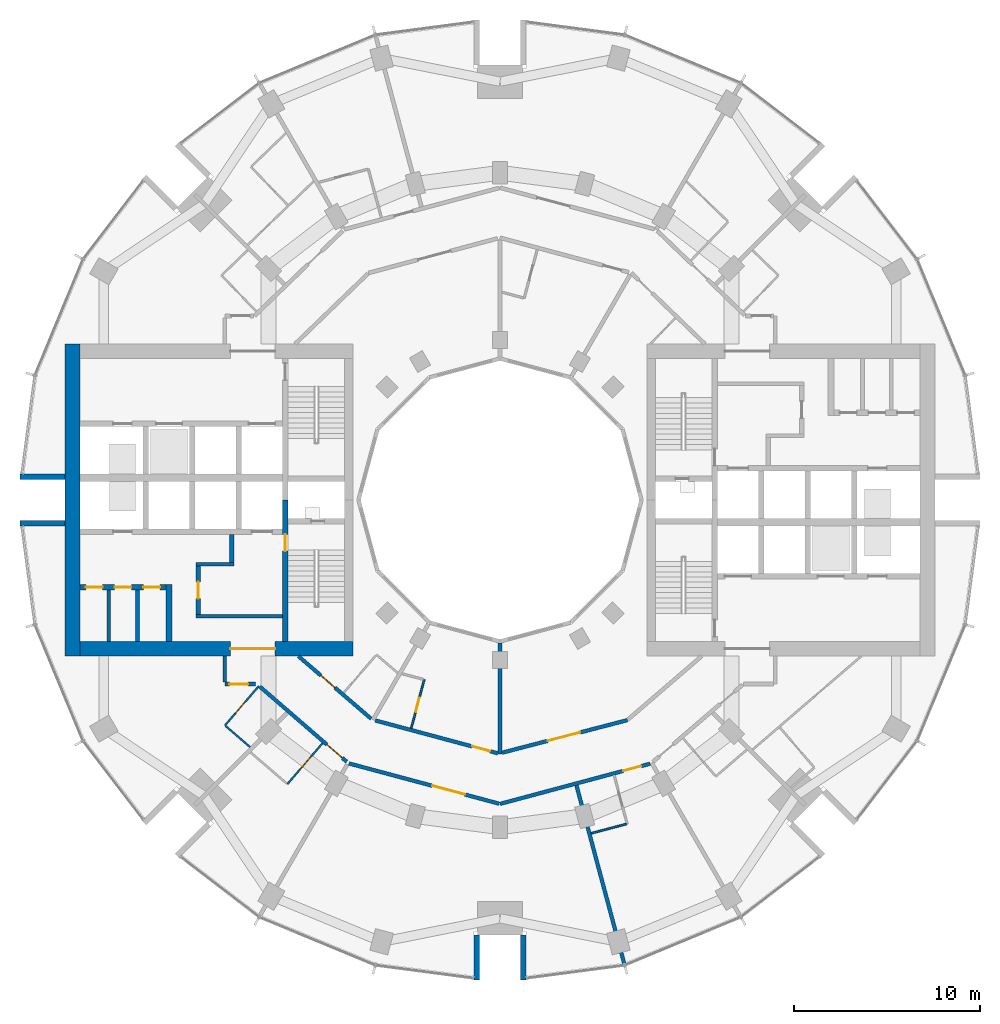
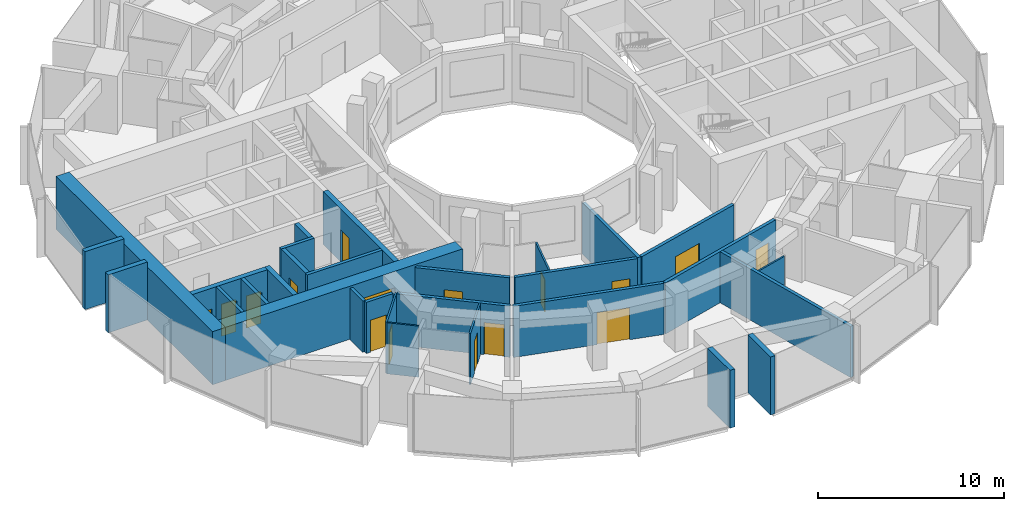
# One storey, part 8 of 15: 30 walls, 16 doors, 16 openings.
"""IFC4 building model written with IfcOpenShell, lengths in metres."""

import ifcopenshell
import ifcopenshell.guid

model = None  # the IFC model being written
_history = None  # IfcOwnerHistory: only IFC2X3 demands one
_inside = {}  # id of a spatial element -> (the spatial element, [elements in it])
_under = {}  # id of a project, library or spatial element -> (it, [spatial elements below it])
_declared = {}  # id of a project -> (the project, [libraries it declares])
_typed = {}  # id of a type object -> (the type object, [elements of that type])
_made_of = {}  # id of a material, layer set ... -> (it, [elements and type objects made of it])


def new_model(schema):
    """Start an empty IFC model of exactly this schema.

    Asked for "IFC4X3", IfcOpenShell would pick the latest addendum, in which some entities
    have other attributes; the version numbers below select the first issue.
    IFC2X3 requires an IfcOwnerHistory on every rooted entity: one is made here for all.
    """
    global model, _history
    if schema == "IFC4X3":
        model = ifcopenshell.file(schema_version=(4, 3, 0, 0))
    else:
        model = ifcopenshell.file(schema=schema)
    _inside.clear()
    _under.clear()
    _declared.clear()
    _typed.clear()
    _made_of.clear()
    _history = None
    if model.schema == "IFC2X3":
        org = make("IfcOrganization", Name="unknown")
        user = make(
            "IfcPersonAndOrganization",
            ThePerson=make("IfcPerson", FamilyName="unknown"),
            TheOrganization=org,
        )
        app = make(
            "IfcApplication",
            ApplicationDeveloper=org,
            Version="unknown",
            ApplicationFullName="unknown",
            ApplicationIdentifier="unknown",
        )
        _history = make(
            "IfcOwnerHistory",
            OwningUser=user,
            OwningApplication=app,
            ChangeAction="ADDED",
            CreationDate=0,
        )
    return model


def make(cls, **values):
    """One entity of the class cls with the attributes given. An attribute that is None is left unset."""
    return model.create_entity(
        cls, **{name: value for name, value in values.items() if value is not None}
    )


def rooted(cls, **values):
    """An entity with a GlobalId (a new one), such as an element, a storey or a relation."""
    return make(cls, GlobalId=ifcopenshell.guid.new(), OwnerHistory=_history, **values)


def si_unit(unit_type, name, prefix=None):
    """IfcSIUnit, for example si_unit("LENGTHUNIT", "METRE", prefix="MILLI")."""
    return make("IfcSIUnit", UnitType=unit_type, Prefix=prefix, Name=name)


def assignment(units):
    """IfcUnitAssignment: the units of a project."""
    return None if units is None else make("IfcUnitAssignment", Units=units)


def point(xyz):
    """IfcCartesianPoint."""
    return None if xyz is None else make("IfcCartesianPoint", Coordinates=xyz)


def direction(xyz):
    """IfcDirection."""
    return None if xyz is None else make("IfcDirection", DirectionRatios=xyz)


def frame(location, z_axis=None, x_axis=None):
    """IfcAxis2Placement3D, a coordinate frame: its origin and axes. An axis left out is left unset."""
    return make(
        "IfcAxis2Placement3D",
        Location=point(location),
        Axis=direction(z_axis),
        RefDirection=direction(x_axis),
    )


def frame_2d(location, x_axis=None):
    """IfcAxis2Placement2D, a coordinate frame in the plane: its origin and x axis."""
    return make(
        "IfcAxis2Placement2D", Location=point(location), RefDirection=direction(x_axis)
    )


def origin():
    """The frame at (0, 0, 0) with its axes left unset."""
    return frame((0.0, 0.0, 0.0))


def place(relative_to, where):
    """IfcLocalPlacement: puts the frame where relative to a parent placement (None: the world)."""
    return make(
        "IfcLocalPlacement", PlacementRelTo=relative_to, RelativePlacement=where
    )


def context(
    kind, dimensions, precision=None, world=None, true_north=None, identifier=None
):
    """IfcGeometricRepresentationContext, for example the 3D "Model" context."""
    return make(
        "IfcGeometricRepresentationContext",
        ContextIdentifier=identifier,
        ContextType=kind,
        CoordinateSpaceDimension=dimensions,
        Precision=precision,
        WorldCoordinateSystem=world,
        TrueNorth=true_north,
    )


def subcontext(parent, identifier, kind, view, scale=None):
    """IfcGeometricRepresentationSubContext, for example "Body" below "Model"."""
    return make(
        "IfcGeometricRepresentationSubContext",
        ContextIdentifier=identifier,
        ContextType=kind,
        ParentContext=parent,
        TargetScale=scale,
        TargetView=view,
    )


def project(units=None, contexts=None):
    """IfcProject with its units and contexts."""
    return rooted(
        "IfcProject",
        Name="project",
        RepresentationContexts=contexts,
        UnitsInContext=assignment(units),
    )


def spatial(cls, under=None, at=None, **own):
    """A site, building, storey or space (cls), placed at a placement, below another one or the project."""
    s = rooted(cls, ObjectPlacement=at, **own)
    if under is not None:
        _under.setdefault(under.id(), (under, []))[1].append(s)
    return s


def profile(cls, at=None, kind="AREA", **sizes):
    """A parametric profile (cls). Its sizes go by their IFC names, for example OverallWidth=200.0."""
    return make(cls, ProfileType=kind, Position=at, **sizes)


def rectangle(**sizes):
    """IfcRectangleProfileDef."""
    return profile("IfcRectangleProfileDef", **sizes)


def extrude(swept, where, along, depth):
    """IfcExtrudedAreaSolid: the profile swept, set in the frame where, extruded along a direction by depth."""
    return make(
        "IfcExtrudedAreaSolid",
        SweptArea=swept,
        Position=where,
        ExtrudedDirection=direction(along),
        Depth=depth,
    )


def shape(context_of_items, identifier, shape_type, items):
    """IfcShapeRepresentation: the items that make up one representation, for example the "Body"."""
    return make(
        "IfcShapeRepresentation",
        ContextOfItems=context_of_items,
        RepresentationIdentifier=identifier,
        RepresentationType=shape_type,
        Items=items,
    )


def material(Name=None, Category=None):
    """IfcMaterial."""
    return make("IfcMaterial", Name=Name, Category=Category)


def layer(
    of_material, thickness, ventilated=None, Name=None, Category=None, Priority=None
):
    """IfcMaterialLayer: one layer of a wall or slab, of a material (None: an air gap)."""
    return make(
        "IfcMaterialLayer",
        Material=of_material,
        LayerThickness=thickness,
        IsVentilated=ventilated,
        Name=Name,
        Category=Category,
        Priority=Priority,
    )


def layer_set(layers, Name=None):
    """IfcMaterialLayerSet."""
    return make("IfcMaterialLayerSet", MaterialLayers=layers, LayerSetName=Name)


def made_of(thing, what):
    """Note that an element or type object is made of a material, layer set ...; save() writes the relation."""
    if what is not None:
        _made_of.setdefault(what.id(), (what, []))[1].append(thing)
    return thing


def type_object(cls, material=None, **own):
    """A type object (cls), such as IfcWallType, which elements share."""
    return made_of(rooted(cls, **own), material)


def element(
    cls,
    number,
    at=None,
    inside=None,
    cuts=None,
    type_object=None,
    material=None,
    context=None,
    identifier="Body",
    shape_type=None,
    held_by="IfcProductDefinitionShape",
    body=None,
    shapes=None,
    **own,
):
    """One element of the class cls, such as IfcWall. Its Tag is "e" and its number.

    at: its placement. inside: the storey or other place that contains it. cuts: it is an
    opening in that element (IfcRelVoidsElement). A single representation is given by context,
    identifier, shape_type and body (its items); several are given by shapes. held_by: the class
    of the entity that holds the representations. save() writes the other relations.
    """
    e = rooted(cls, Tag="e%d" % number, ObjectPlacement=at, **own)
    if body is not None:
        shapes = [shape(context, identifier, shape_type, body)]
    if shapes is not None:
        e.Representation = make(held_by, Representations=shapes)
    if inside is not None:
        _inside.setdefault(inside.id(), (inside, []))[1].append(e)
    if cuts is not None:
        rooted(
            "IfcRelVoidsElement", RelatingBuildingElement=cuts, RelatedOpeningElement=e
        )
    if type_object is not None:
        _typed.setdefault(type_object.id(), (type_object, []))[1].append(e)
    return made_of(e, material)


def fill(opening, filler):
    """IfcRelFillsElement: the door or window that sits in an opening."""
    return rooted(
        "IfcRelFillsElement",
        RelatingOpeningElement=opening,
        RelatedBuildingElement=filler,
    )


def aggregate(whole, parts):
    """IfcRelAggregates: a whole, such as a stair, and the parts it consists of."""
    return rooted("IfcRelAggregates", RelatingObject=whole, RelatedObjects=parts)


def save(model, path):
    """Write the relations noted so far, then the file.

    IfcRelAggregates (storeys below a building ...), IfcRelContainedInSpatialStructure (elements
    in a storey), IfcRelDefinesByType, IfcRelAssociatesMaterial and IfcRelDeclares: one each for
    every whole, place, type object, material and project.
    """
    for whole, parts in _under.values():
        aggregate(whole, parts)
    for where, things in _inside.values():
        rooted(
            "IfcRelContainedInSpatialStructure",
            RelatedElements=things,
            RelatingStructure=where,
        )
    for kind, things in _typed.values():
        rooted("IfcRelDefinesByType", RelatedObjects=things, RelatingType=kind)
    for what, things in _made_of.values():
        rooted("IfcRelAssociatesMaterial", RelatedObjects=things, RelatingMaterial=what)
    for by, libraries in _declared.values():
        rooted("IfcRelDeclares", RelatingContext=by, RelatedDefinitions=libraries)
    model.write(path)


model = new_model("IFC4")

# Units and contexts
model_context = context("Model", 3, precision=1e-05, world=origin(), true_north=direction((0.0, 1.0)))
body_context = subcontext(model_context, "Body", "Model", "MODEL_VIEW")
ifc_project = project(units=[si_unit("LENGTHUNIT", "METRE"), si_unit("AREAUNIT", "SQUARE_METRE"), si_unit("VOLUMEUNIT", "CUBIC_METRE"), si_unit("PLANEANGLEUNIT", "RADIAN"), si_unit("MASSUNIT", "GRAM", prefix="KILO")], contexts=[model_context])

# Site, building, storey
site_placement = place(None, origin())
site = spatial("IfcSite", under=ifc_project, at=site_placement, CompositionType="ELEMENT")
building_placement = place(site_placement, origin())
building = spatial("IfcBuilding", under=site, at=building_placement, Name="Torre Brocal", CompositionType="ELEMENT")
storey_placement = place(building_placement, frame((0.0, 0.0, 101.39990234375)))
storey = spatial("IfcBuildingStorey", under=building, at=storey_placement, Name="L23", CompositionType="ELEMENT", Elevation=101.39990234375)

# Walls
ifc_material_1 = material(Name="Masonry block", Category="masonry")
ifc_layer_1 = layer(ifc_material_1, 0.199951171875)
ifc_layer_set_1 = layer_set([ifc_layer_1], Name="Masonry block")
wall_type_1 = type_object("IfcWallType", Name="CORE PARTITION 200", PredefinedType="PARTITIONING", material=ifc_layer_set_1)
for number, where, z_axis, x_axis, name in (
    (1, (60.5, 70.14990234375, 0.0), (0.0, 0.0, 1.0), (0.0, -1.0, 0.0), "Wall CP200"),
    (2, (58.949951171875, 70.14990234375, 0.0), (0.0, 0.0, 1.0), (0.0, -1.0, 0.0), "Wall CP200"),
):
    element("IfcWall", number, at=place(storey_placement, frame(where, z_axis=z_axis, x_axis=x_axis)), inside=storey, type_object=wall_type_1, Name=name, PredefinedType="PARTITIONING", context=body_context, shape_type="SweptSolid", body=[
        extrude(rectangle(XDim=2.75, YDim=0.199951171875, at=frame_2d((1.375, 0.0))), origin(), (0.0, 0.0, 1.0), 3.47998046875),
    ])
ifc_material_2 = material(Name="Concrete C80", Category="concrete")
ifc_layer_2 = layer(ifc_material_2, 0.199951171875)
ifc_layer_set_2 = layer_set([ifc_layer_2], Name="Concrete C80")
wall_type_2 = type_object("IfcWallType", Name="CORE WALL 200 C80", PredefinedType="SHEAR", material=ifc_layer_set_2)
wall_1_placement = place(storey_placement, frame((68.300048828125, 68.75, 0.0), z_axis=(0.0, 0.0, 1.0), x_axis=(-1.0, 0.0, 0.0)))
element("IfcWall", 3, at=wall_1_placement, inside=storey, type_object=wall_type_2, Name="Wall CW200-80", PredefinedType="SHEAR", context=body_context, shape_type="SweptSolid", body=[
    extrude(rectangle(XDim=4.650146484375, YDim=0.199951171875, at=frame_2d((2.3251953125, 0.0))), origin(), (0.0, 0.0, 1.0), 3.47998046875),
])
wall_2_placement = place(storey_placement, frame((65.699951171875, 71.550048828125, 0.0), z_axis=(0.0, 0.0, 1.0), x_axis=(-1.0, 0.0, 0.0)))
element("IfcWall", 4, at=wall_2_placement, inside=storey, type_object=wall_type_2, Name="Wall CW200-80", PredefinedType="SHEAR", context=body_context, shape_type="SweptSolid", body=[
    extrude(rectangle(XDim=2.050048828125, YDim=0.199951171875, at=frame_2d((1.02490234375, 0.0))), origin(), (0.0, 0.0, 1.0), 3.47998046875),
])

# Wall, opening, door
ifc_material_3 = material(Name="Concrete C80", Category="concrete")
ifc_layer_3 = layer(ifc_material_3, 0.25)
ifc_layer_set_3 = layer_set([ifc_layer_3], Name="Concrete C80")
wall_type_3 = type_object("IfcWallType", Name="CORE WALL 250 C80", PredefinedType="SHEAR", material=ifc_layer_set_3)
wall_3_placement = place(storey_placement, frame((63.77490234375, 71.449951171875, 0.0), z_axis=(0.0, 0.0, 1.0), x_axis=(0.0, -1.0, 0.0)))
wall_3 = element("IfcWall", 5, at=wall_3_placement, inside=storey, type_object=wall_type_3, Name="Wall CW250-80", PredefinedType="SHEAR", context=body_context, shape_type="SweptSolid", body=[
    extrude(rectangle(XDim=2.599853515625, YDim=0.25, at=frame_2d((1.2998046875, 0.0))), origin(), (0.0, 0.0, 1.0), 3.47998046875),
])
opening_1_placement = place(wall_3_placement, frame((0.85009765625, 0.0, 0.0)))
opening_1 = element("IfcOpeningElement", 6, at=opening_1_placement, cuts=wall_3, Name="Opening W-D15", PredefinedType="OPENING", context=body_context, shape_type="SweptSolid", body=[
    extrude(rectangle(XDim=0.89990234375, YDim=2.10009765625, at=frame_2d((0.449951171875, 1.050048828125))), frame((0.0, 0.135009765625, 0.0), z_axis=(0.0, -1.0, 0.0), x_axis=(1.0, 0.0, 0.0)), (0.0, 0.0, 1.0), 0.27001953125),
])
ifc_material_4 = material(Name="Steel A653", Category="steel")
door_type_1 = type_object("IfcDoorType", Name="LOBBY DOOR FD120 900X2100", OperationType="SINGLE_SWING_RIGHT", PredefinedType="DOOR", material=ifc_material_4)
door_1_placement = place(opening_1_placement, origin())
door_1 = element("IfcDoor", 7, at=door_1_placement, inside=storey, type_object=door_type_1, Name="Door W-D15", OperationType="SINGLE_SWING_LEFT", OverallHeight=2.10009765625, OverallWidth=0.89990234375, PredefinedType="DOOR", context=body_context, shape_type="SweptSolid", body=[
    extrude(rectangle(XDim=0.89990234375, YDim=2.10009765625, at=frame_2d((0.449951171875, 1.050048828125))), frame((0.0, 0.02490234375, 0.0), z_axis=(0.0, -1.0, 0.0), x_axis=(1.0, 0.0, 0.0)), (0.0, 0.0, 1.0), 0.050048828125),
])
fill(opening_1, door_1)

# Wall
wall_4_placement = place(storey_placement, frame((65.574951171875, 73.14990234375, 0.0), z_axis=(0.0, 0.0, 1.0), x_axis=(0.0, -1.0, 0.0)))
element("IfcWall", 8, at=wall_4_placement, inside=storey, type_object=wall_type_3, Name="Wall CW250-80", PredefinedType="SHEAR", context=body_context, shape_type="SweptSolid", body=[
    extrude(rectangle(XDim=1.5, YDim=0.25, at=frame_2d((0.75, 0.0))), origin(), (0.0, 0.0, 1.0), 3.47998046875),
])

# Wall, opening, door
ifc_material_5 = material(Name="Concrete C80", Category="concrete")
ifc_layer_4 = layer(ifc_material_5, 0.300048828125)
ifc_layer_set_4 = layer_set([ifc_layer_4], Name="Concrete C80")
wall_type_4 = type_object("IfcWallType", Name="CORE WALL 300 C80", PredefinedType="SHEAR", material=ifc_layer_set_4)
wall_5_placement = place(storey_placement, frame((68.449951171875, 75.0, 0.0), z_axis=(0.0, 0.0, 1.0), x_axis=(0.0, -1.0, 0.0)))
wall_5 = element("IfcWall", 9, at=wall_5_placement, inside=storey, type_object=wall_type_4, Name="Wall CW300-80", PredefinedType="SHEAR", context=body_context, shape_type="SweptSolid", body=[
    extrude(rectangle(XDim=7.60009765625, YDim=0.300048828125, at=frame_2d((3.800048828125, 0.0))), origin(), (0.0, 0.0, 1.0), 3.47998046875),
])
opening_2_placement = place(wall_5_placement, frame((1.85009765625, 0.0, 0.0)))
opening_2 = element("IfcOpeningElement", 10, at=opening_2_placement, cuts=wall_5, Name="Opening W-D02", PredefinedType="OPENING", context=body_context, shape_type="SweptSolid", body=[
    extrude(rectangle(XDim=0.89990234375, YDim=2.10009765625, at=frame_2d((0.449951171875, 1.050048828125))), frame((0.0, 0.159912109375, 0.0), z_axis=(0.0, -1.0, 0.0), x_axis=(1.0, 0.0, 0.0)), (0.0, 0.0, 1.0), 0.320068359375),
])
ifc_material_6 = material(Name="Steel A653", Category="steel")
door_type_2 = type_object("IfcDoorType", Name="STAIR DOOR FD120 900X2100", OperationType="SINGLE_SWING_RIGHT", PredefinedType="DOOR", material=ifc_material_6)
door_2_placement = place(opening_2_placement, origin())
door_2 = element("IfcDoor", 11, at=door_2_placement, inside=storey, type_object=door_type_2, Name="Door W-D02", OperationType="SINGLE_SWING_LEFT", OverallHeight=2.10009765625, OverallWidth=0.89990234375, PredefinedType="DOOR", context=body_context, shape_type="SweptSolid", body=[
    extrude(rectangle(XDim=0.89990234375, YDim=2.10009765625, at=frame_2d((0.449951171875, 1.050048828125))), frame((0.0, 0.02490234375, 0.0), z_axis=(0.0, -1.0, 0.0), x_axis=(1.0, 0.0, 0.0)), (0.0, 0.0, 1.0), 0.050048828125),
])
fill(opening_2, door_2)

# Wall
wall_6_placement = place(storey_placement, frame((62.199951171875, 70.449951171875, 0.0), z_axis=(0.0, 0.0, 1.0), x_axis=(0.0, -1.0, 0.0)))
element("IfcWall", 12, at=wall_6_placement, inside=storey, type_object=wall_type_4, Name="Wall CW300-80", PredefinedType="SHEAR", context=body_context, shape_type="SweptSolid", body=[
    extrude(rectangle(XDim=3.050048828125, YDim=0.300048828125, at=frame_2d((1.52490234375, 0.0))), origin(), (0.0, 0.0, 1.0), 3.47998046875),
])

# Wall, openings, doors
wall_7_placement = place(storey_placement, frame((62.050048828125, 70.300048828125, 0.0), z_axis=(0.0, 0.0, 1.0), x_axis=(-1.0, 0.0, 0.0)))
wall_7 = element("IfcWall", 13, at=wall_7_placement, inside=storey, type_object=wall_type_4, Name="Wall CW300-80", PredefinedType="SHEAR", context=body_context, shape_type="SweptSolid", body=[
    extrude(rectangle(XDim=4.650146484375, YDim=0.300048828125, at=frame_2d((2.3251953125, 0.0))), origin(), (0.0, 0.0, 1.0), 3.47998046875),
])
opening_3_placement = place(wall_7_placement, frame((0.324951171875, 0.0, 0.0)))
opening_3 = element("IfcOpeningElement", 14, at=opening_3_placement, cuts=wall_7, Name="Opening W-D05", PredefinedType="OPENING", context=body_context, shape_type="SweptSolid", body=[
    extrude(rectangle(XDim=0.89990234375, YDim=2.10009765625, at=frame_2d((0.449951171875, 1.050048828125))), frame((0.0, 0.159912109375, 0.0), z_axis=(0.0, -1.0, 0.0), x_axis=(1.0, 0.0, 0.0)), (0.0, 0.0, 1.0), 0.320068359375),
])
opening_4_placement = place(wall_7_placement, frame((1.875, 0.0, 0.0)))
opening_4 = element("IfcOpeningElement", 15, at=opening_4_placement, cuts=wall_7, Name="Opening W-D06", PredefinedType="OPENING", context=body_context, shape_type="SweptSolid", body=[
    extrude(rectangle(XDim=0.89990234375, YDim=2.10009765625, at=frame_2d((0.449951171875, 1.050048828125))), frame((0.0, 0.159912109375, 0.0), z_axis=(0.0, -1.0, 0.0), x_axis=(1.0, 0.0, 0.0)), (0.0, 0.0, 1.0), 0.320068359375),
])
opening_5_placement = place(wall_7_placement, frame((3.425048828125, 0.0, 0.0)))
opening_5 = element("IfcOpeningElement", 16, at=opening_5_placement, cuts=wall_7, Name="Opening W-D07", PredefinedType="OPENING", context=body_context, shape_type="SweptSolid", body=[
    extrude(rectangle(XDim=0.89990234375, YDim=2.10009765625, at=frame_2d((0.449951171875, 1.050048828125))), frame((0.0, 0.159912109375, 0.0), z_axis=(0.0, -1.0, 0.0), x_axis=(1.0, 0.0, 0.0)), (0.0, 0.0, 1.0), 0.320068359375),
])
ifc_material_7 = material(Name="Steel A653", Category="steel")
door_type_3 = type_object("IfcDoorType", Name="ROOM DOOR FD30S 900X2100", OperationType="SINGLE_SWING_LEFT", PredefinedType="DOOR", material=ifc_material_7)
door_3_placement = place(opening_3_placement, origin())
door_3 = element("IfcDoor", 17, at=door_3_placement, inside=storey, type_object=door_type_3, Name="Door W-D05", OperationType="SINGLE_SWING_RIGHT", OverallHeight=2.10009765625, OverallWidth=0.89990234375, PredefinedType="DOOR", context=body_context, shape_type="SweptSolid", body=[
    extrude(rectangle(XDim=0.89990234375, YDim=2.10009765625, at=frame_2d((0.449951171875, 1.050048828125))), frame((0.0, 0.02490234375, 0.0), z_axis=(0.0, -1.0, 0.0), x_axis=(1.0, 0.0, 0.0)), (0.0, 0.0, 1.0), 0.050048828125),
])
fill(opening_3, door_3)
door_4_placement = place(opening_4_placement, origin())
door_4 = element("IfcDoor", 18, at=door_4_placement, inside=storey, type_object=door_type_3, Name="Door W-D06", OperationType="SINGLE_SWING_RIGHT", OverallHeight=2.10009765625, OverallWidth=0.89990234375, PredefinedType="DOOR", context=body_context, shape_type="SweptSolid", body=[
    extrude(rectangle(XDim=0.89990234375, YDim=2.10009765625, at=frame_2d((0.449951171875, 1.050048828125))), frame((0.0, 0.02490234375, 0.0), z_axis=(0.0, -1.0, 0.0), x_axis=(1.0, 0.0, 0.0)), (0.0, 0.0, 1.0), 0.050048828125),
])
fill(opening_4, door_4)
door_5_placement = place(opening_5_placement, origin())
door_5 = element("IfcDoor", 19, at=door_5_placement, inside=storey, type_object=door_type_3, Name="Door W-D07", OperationType="SINGLE_SWING_LEFT", OverallHeight=2.10009765625, OverallWidth=0.89990234375, PredefinedType="DOOR", context=body_context, shape_type="SweptSolid", body=[
    extrude(rectangle(XDim=0.89990234375, YDim=2.10009765625, at=frame_2d((0.449951171875, 1.050048828125))), frame((0.0, 0.02490234375, 0.0), z_axis=(0.0, -1.0, 0.0), x_axis=(1.0, 0.0, 0.0)), (0.0, 0.0, 1.0), 0.050048828125),
])
fill(opening_5, door_5)

# Wall, opening, door
ifc_material_8 = material(Name="Concrete C80", Category="concrete")
ifc_layer_5 = layer(ifc_material_8, 0.800048828125)
ifc_layer_set_5 = layer_set([ifc_layer_5], Name="Concrete C80")
wall_type_5 = type_object("IfcWallType", Name="CORE WALL 800 C80", PredefinedType="SHEAR", material=ifc_layer_set_5)
wall_8_placement = place(storey_placement, frame((72.10009765625, 67.0, 0.0), z_axis=(0.0, 0.0, 1.0), x_axis=(-1.0, 0.0, 0.0)))
wall_8 = element("IfcWall", 20, at=wall_8_placement, inside=storey, type_object=wall_type_5, Name="Wall CW800-80", PredefinedType="SHEAR", context=body_context, shape_type="SweptSolid", body=[
    extrude(rectangle(XDim=14.7001953125, YDim=0.800048828125, at=frame_2d((7.35009765625, 0.0))), origin(), (0.0, 0.0, 1.0), 3.47998046875),
])
opening_6_placement = place(wall_8_placement, frame((4.199951171875, 0.0, 0.0)))
opening_6 = element("IfcOpeningElement", 21, at=opening_6_placement, cuts=wall_8, Name="Opening W-D27", PredefinedType="OPENING", context=body_context, shape_type="SweptSolid", body=[
    extrude(rectangle(XDim=2.39990234375, YDim=2.39990234375, at=frame_2d((1.199951171875, 1.199951171875))), frame((0.0, 0.409912109375, 0.0), z_axis=(0.0, -1.0, 0.0), x_axis=(1.0, 0.0, 0.0)), (0.0, 0.0, 1.0), 0.820068359375),
])
ifc_material_9 = material(Name="Steel A653", Category="steel")
door_type_4 = type_object("IfcDoorType", Name="DOUBLE FIRE DOOR FD90 2400X2400", OperationType="DOUBLE_DOOR_SINGLE_SWING", PredefinedType="DOOR", material=ifc_material_9)
door_6_placement = place(opening_6_placement, frame((2.39990234375, 0.0, 0.0), z_axis=(0.0, 0.0, 1.0), x_axis=(-1.0, 0.0, 0.0)))
door_6 = element("IfcDoor", 22, at=door_6_placement, inside=storey, type_object=door_type_4, Name="Door W-D27", OperationType="DOUBLE_DOOR_SINGLE_SWING", OverallHeight=2.39990234375, OverallWidth=2.39990234375, PredefinedType="DOOR", context=body_context, shape_type="SweptSolid", body=[
    extrude(rectangle(XDim=2.39990234375, YDim=2.39990234375, at=frame_2d((1.199951171875, 1.199951171875))), frame((0.0, 0.02490234375, 0.0), z_axis=(0.0, -1.0, 0.0), x_axis=(1.0, 0.0, 0.0)), (0.0, 0.0, 1.0), 0.050048828125),
])
fill(opening_6, door_6)

# Walls
wall_9_placement = place(storey_placement, frame((57.0, 83.39990234375, 0.0), z_axis=(0.0, 0.0, 1.0), x_axis=(0.0, -1.0, 0.0)))
element("IfcWall", 23, at=wall_9_placement, inside=storey, type_object=wall_type_5, Name="Wall CW800-80", PredefinedType="SHEAR", context=body_context, shape_type="SweptSolid", body=[
    extrude(rectangle(XDim=16.7998046875, YDim=0.800048828125, at=frame_2d((8.39990234375, 0.0))), origin(), (0.0, 0.0, 1.0), 3.47998046875),
])
ifc_material_10 = material(Name="Concrete C80", Category="concrete")
ifc_layer_6 = layer(ifc_material_10, 0.300048828125)
ifc_layer_set_6 = layer_set([ifc_layer_6], Name="Concrete C80")
wall_type_6 = type_object("IfcWallType", Name="NOTCH RETURN WALL 300 C80", PredefinedType="NOTDEFINED", material=ifc_layer_set_6)
for number, where, z_axis, x_axis, name in (
    (24, (56.60009765625, 76.25, 0.0), (0.0, 0.0, 1.0), (-1.0, 0.0, 0.0), "NOTCH RETURN WALL"),
    (25, (56.60009765625, 73.75, 0.0), (0.0, 0.0, 1.0), (-1.0, 0.0, 0.0), "NOTCH RETURN WALL"),
    (26, (78.75, 51.60009765625, 0.0), (0.0, 0.0, 1.0), (0.0, -1.0, 0.0), "NOTCH RETURN WALL"),
    (27, (81.25, 51.60009765625, 0.0), (0.0, 0.0, 1.0), (0.0, -1.0, 0.0), "NOTCH RETURN WALL"),
):
    element("IfcWall", number, at=place(storey_placement, frame(where, z_axis=z_axis, x_axis=x_axis)), inside=storey, type_object=wall_type_6, Name=name, PredefinedType="NOTDEFINED", context=body_context, shape_type="SweptSolid", body=[
        extrude(rectangle(XDim=2.415771484375, YDim=0.300048828125, at=frame_2d((1.2080078125, 0.0))), origin(), (0.0, 0.0, 1.0), 3.800048828125),
    ])
ifc_material_11 = material(Name="Gypsum board", Category="Gypsum")
ifc_layer_7 = layer(ifc_material_11, 0.10009765625)
ifc_layer_set_7 = layer_set([ifc_layer_7], Name="Gypsum board")
wall_type_7 = type_object("IfcWallType", Name="PARTITION 100", PredefinedType="PARTITIONING", material=ifc_layer_set_7)
wall_10_placement = place(storey_placement, frame((65.245849609375, 62.84228515625, 0.0), z_axis=(0.0, 0.0, 1.0), x_axis=(0.758030338995, -0.652219292234, 0.0)))
element("IfcWall", 28, at=wall_10_placement, inside=storey, type_object=wall_type_7, Name="BATHROOM WALL", PredefinedType="PARTITIONING", context=body_context, shape_type="SweptSolid", body=[
    extrude(rectangle(XDim=1.73046875, YDim=0.10009765625, at=frame_2d((0.865234375, 0.0))), origin(), (0.0, 0.0, 1.0), 3.35009765625),
])

# Wall, opening, door
wall_11_placement = place(storey_placement, frame((65.2080078125, 62.875, 0.0), z_axis=(0.0, 0.0, 1.0), x_axis=(0.65205430601, 0.758172264076, 0.0)))
wall_11 = element("IfcWall", 29, at=wall_11_placement, inside=storey, type_object=wall_type_7, Name="BATHROOM WALL", PredefinedType="PARTITIONING", context=body_context, shape_type="SweptSolid", body=[
    extrude(rectangle(XDim=2.7998046875, YDim=0.10009765625, at=frame_2d((1.39990234375, 0.0))), origin(), (0.0, 0.0, 1.0), 3.35009765625),
])
opening_7_placement = place(wall_11_placement, frame((0.85009765625, 0.0, 0.0)))
opening_7 = element("IfcOpeningElement", 30, at=opening_7_placement, cuts=wall_11, Name="Opening H06-D29", PredefinedType="OPENING", context=body_context, shape_type="SweptSolid", body=[
    extrude(rectangle(XDim=0.800048828125, YDim=2.10009765625, at=frame_2d((0.39990234375, 1.050048828125))), frame((0.0, 0.06005859375, 0.0), z_axis=(0.0, -1.0, 0.0), x_axis=(1.0, 0.0, 0.0)), (0.0, 0.0, 1.0), 0.1201171875),
])
ifc_material_12 = material(Name="Timber", Category="wood")
door_type_5 = type_object("IfcDoorType", Name="BATHROOM DOOR 800X2100", OperationType="SINGLE_SWING_LEFT", PredefinedType="DOOR", material=ifc_material_12)
door_7_placement = place(opening_7_placement, frame((0.800048828125, 0.0, 0.0), z_axis=(0.0, 0.0, 1.0), x_axis=(-1.0, 0.0, 0.0)))
door_7 = element("IfcDoor", 31, at=door_7_placement, inside=storey, type_object=door_type_5, Name="H06-D29", OperationType="SINGLE_SWING_RIGHT", OverallHeight=2.10009765625, OverallWidth=0.800048828125, PredefinedType="DOOR", context=body_context, shape_type="SweptSolid", body=[
    extrude(rectangle(XDim=0.800048828125, YDim=2.10009765625, at=frame_2d((0.39990234375, 1.050048828125))), frame((0.0, 0.02490234375, 0.0), z_axis=(0.0, -1.0, 0.0), x_axis=(1.0, 0.0, 0.0)), (0.0, 0.0, 1.0), 0.050048828125),
])
fill(opening_7, door_7)

wall_12_placement = place(storey_placement, frame((68.56591796875, 59.721923828125, 0.0), z_axis=(0.0, 0.0, 1.0), x_axis=(0.65193146671, 0.758277892803, 0.0)))
wall_12 = element("IfcWall", 32, at=wall_12_placement, inside=storey, type_object=wall_type_7, Name="BATHROOM WALL", PredefinedType="PARTITIONING", context=body_context, shape_type="SweptSolid", body=[
    extrude(rectangle(XDim=2.890380859375, YDim=0.10009765625, at=frame_2d((1.4453125, 0.0))), origin(), (0.0, 0.0, 1.0), 3.35009765625),
])
opening_8_placement = place(wall_12_placement, frame((1.050048828125, 0.0, 0.0)))
opening_8 = element("IfcOpeningElement", 33, at=opening_8_placement, cuts=wall_12, Name="Opening H06-D27", PredefinedType="OPENING", context=body_context, shape_type="SweptSolid", body=[
    extrude(rectangle(XDim=0.89990234375, YDim=2.10009765625, at=frame_2d((0.449951171875, 1.050048828125))), frame((0.0, 0.06005859375, 0.0), z_axis=(0.0, -1.0, 0.0), x_axis=(1.0, 0.0, 0.0)), (0.0, 0.0, 1.0), 0.1201171875),
])
ifc_material_13 = material(Name="Timber", Category="wood")
door_type_6 = type_object("IfcDoorType", Name="ACCESSIBLE BATHROOM DOOR 900X2100", OperationType="SINGLE_SWING_LEFT", PredefinedType="DOOR", material=ifc_material_13)
door_8_placement = place(opening_8_placement, origin())
door_8 = element("IfcDoor", 34, at=door_8_placement, inside=storey, type_object=door_type_6, Name="H06-D27", OperationType="SINGLE_SWING_RIGHT", OverallHeight=2.10009765625, OverallWidth=0.89990234375, PredefinedType="DOOR", context=body_context, shape_type="SweptSolid", body=[
    extrude(rectangle(XDim=0.89990234375, YDim=2.10009765625, at=frame_2d((0.449951171875, 1.050048828125))), frame((0.0, 0.02490234375, 0.0), z_axis=(0.0, -1.0, 0.0), x_axis=(1.0, 0.0, 0.0)), (0.0, 0.0, 1.0), 0.050048828125),
])
fill(opening_8, door_8)

wall_13_placement = place(storey_placement, frame((75.226806640625, 62.728759765625, 0.0), z_axis=(0.0, 0.0, 1.0), x_axis=(0.258945475746, 0.965891940432, 0.0)))
wall_13 = element("IfcWall", 35, at=wall_13_placement, inside=storey, type_object=wall_type_7, Name="BATHROOM WALL", PredefinedType="PARTITIONING", context=body_context, shape_type="SweptSolid", body=[
    extrude(rectangle(XDim=2.7001953125, YDim=0.10009765625, at=frame_2d((1.35009765625, 0.0))), origin(), (0.0, 0.0, 1.0), 3.35009765625),
])
opening_9_placement = place(wall_13_placement, frame((0.900146484375, 0.0, 0.0)))
opening_9 = element("IfcOpeningElement", 36, at=opening_9_placement, cuts=wall_13, Name="Opening H06-D32", PredefinedType="OPENING", context=body_context, shape_type="SweptSolid", body=[
    extrude(rectangle(XDim=0.800048828125, YDim=2.10009765625, at=frame_2d((0.39990234375, 1.050048828125))), frame((0.0, 0.06005859375, 0.0), z_axis=(0.0, -1.0, 0.0), x_axis=(1.0, 0.0, 0.0)), (0.0, 0.0, 1.0), 0.1201171875),
])
door_9_placement = place(opening_9_placement, origin())
door_9 = element("IfcDoor", 37, at=door_9_placement, inside=storey, type_object=door_type_5, Name="H06-D32", OperationType="SINGLE_SWING_LEFT", OverallHeight=2.10009765625, OverallWidth=0.800048828125, PredefinedType="DOOR", context=body_context, shape_type="SweptSolid", body=[
    extrude(rectangle(XDim=0.800048828125, YDim=2.10009765625, at=frame_2d((0.39990234375, 1.050048828125))), frame((0.0, 0.02490234375, 0.0), z_axis=(0.0, -1.0, 0.0), x_axis=(1.0, 0.0, 0.0)), (0.0, 0.0, 1.0), 0.050048828125),
])
fill(opening_9, door_9)

# Walls
wall_14_placement = place(storey_placement, frame((84.90771484375, 57.06982421875, 0.0), z_axis=(0.0, 0.0, 1.0), x_axis=(0.965853538138, 0.25908867761, 0.0)))
element("IfcWall", 38, at=wall_14_placement, inside=storey, type_object=wall_type_7, Name="BATHROOM WALL", PredefinedType="PARTITIONING", context=body_context, shape_type="SweptSolid", body=[
    extrude(rectangle(XDim=1.94970703125, YDim=0.10009765625, at=frame_2d((0.974853515625, 0.0))), origin(), (0.0, 0.0, 1.0), 3.35009765625),
])
ifc_material_14 = material(Name="Gypsum board", Category="Gypsum")
ifc_layer_8 = layer(ifc_material_14, 0.199951171875)
ifc_layer_set_8 = layer_set([ifc_layer_8], Name="Gypsum board")
wall_type_8 = type_object("IfcWallType", Name="PARTITION 200 EI60", PredefinedType="PARTITIONING", material=ifc_layer_set_8)
wall_15_placement = place(storey_placement, frame((65.199951171875, 65.199951171875, 0.0), z_axis=(0.0, 0.0, 1.0), x_axis=(0.0, 1.0, 0.0)))
element("IfcWall", 39, at=wall_15_placement, inside=storey, type_object=wall_type_8, Name="GUESTROOM CORRIDOR WALL", PredefinedType="PARTITIONING", context=body_context, shape_type="SweptSolid", body=[
    extrude(rectangle(XDim=1.399169921875, YDim=0.199951171875, at=frame_2d((0.69970703125, 0.0))), origin(), (0.0, 0.0, 1.0), 3.35009765625),
])

# Wall, opening, door
wall_16_placement = place(storey_placement, frame((65.199951171875, 65.10009765625, 0.0), z_axis=(0.0, 0.0, 1.0), x_axis=(1.0, 0.0, 0.0)))
wall_16 = element("IfcWall", 40, at=wall_16_placement, inside=storey, type_object=wall_type_8, Name="GUESTROOM CORRIDOR WALL", PredefinedType="PARTITIONING", context=body_context, shape_type="SweptSolid", body=[
    extrude(rectangle(XDim=1.655029296875, YDim=0.199951171875, at=frame_2d((0.82763671875, 0.0))), origin(), (0.0, 0.0, 1.0), 3.35009765625),
])
opening_10_placement = place(wall_16_placement, frame((0.25, 0.0, 0.0)))
opening_10 = element("IfcOpeningElement", 41, at=opening_10_placement, cuts=wall_16, Name="Opening H06-D28", PredefinedType="OPENING", context=body_context, shape_type="SweptSolid", body=[
    extrude(rectangle(XDim=1.0, YDim=2.10009765625, at=frame_2d((0.5, 1.050048828125))), frame((0.0, 0.10986328125, 0.0), z_axis=(0.0, -1.0, 0.0), x_axis=(1.0, 0.0, 0.0)), (0.0, 0.0, 1.0), 0.219970703125),
])
ifc_material_15 = material(Name="Timber", Category="wood")
door_type_7 = type_object("IfcDoorType", Name="FLAT ENTRY DOOR FD30S 1000X2100", OperationType="SINGLE_SWING_RIGHT", PredefinedType="DOOR", material=ifc_material_15)
door_10_placement = place(opening_10_placement, frame((1.0, 0.0, 0.0), z_axis=(0.0, 0.0, 1.0), x_axis=(-1.0, 0.0, 0.0)))
door_10 = element("IfcDoor", 42, at=door_10_placement, inside=storey, type_object=door_type_7, Name="H06-D28", OperationType="SINGLE_SWING_RIGHT", OverallHeight=2.10009765625, OverallWidth=1.0, PredefinedType="DOOR", context=body_context, shape_type="SweptSolid", body=[
    extrude(rectangle(XDim=1.0, YDim=2.10009765625, at=frame_2d((0.5, 1.050048828125))), frame((0.0, 0.02490234375, 0.0), z_axis=(0.0, -1.0, 0.0), x_axis=(1.0, 0.0, 0.0)), (0.0, 0.0, 1.0), 0.050048828125),
])
fill(opening_10, door_10)

wall_17_placement = place(storey_placement, frame((67.07861328125, 64.968017578125, 0.0), z_axis=(0.0, 0.0, 1.0), x_axis=(0.756371089567, -0.654142778656, 0.0)))
wall_17 = element("IfcWall", 43, at=wall_17_placement, inside=storey, type_object=wall_type_8, Name="GUESTROOM CORRIDOR WALL", PredefinedType="PARTITIONING", context=body_context, shape_type="SweptSolid", body=[
    extrude(rectangle(XDim=6.185302734375, YDim=0.199951171875, at=frame_2d((3.0927734375, 0.0))), origin(), (0.0, 0.0, 1.0), 3.35009765625),
])
opening_11_placement = place(wall_17_placement, frame((4.7783203125, 0.0, 0.0)))
opening_11 = element("IfcOpeningElement", 44, at=opening_11_placement, cuts=wall_17, Name="Opening H06-D26", PredefinedType="OPENING", context=body_context, shape_type="SweptSolid", body=[
    extrude(rectangle(XDim=1.10009765625, YDim=2.10009765625, at=frame_2d((0.550048828125, 1.050048828125))), frame((0.0, 0.10986328125, 0.0), z_axis=(0.0, -1.0, 0.0), x_axis=(1.0, 0.0, 0.0)), (0.0, 0.0, 1.0), 0.219970703125),
])
ifc_material_16 = material(Name="Timber", Category="wood")
door_type_8 = type_object("IfcDoorType", Name="ACCESSIBLE ENTRY DOOR FD30S 1100X2100", OperationType="SINGLE_SWING_RIGHT", PredefinedType="DOOR", material=ifc_material_16)
door_11_placement = place(opening_11_placement, frame((1.10009765625, 0.0, 0.0), z_axis=(0.0, 0.0, 1.0), x_axis=(-1.0, 0.0, 0.0)))
door_11 = element("IfcDoor", 45, at=door_11_placement, inside=storey, type_object=door_type_8, Name="H06-D26", OperationType="SINGLE_SWING_RIGHT", OverallHeight=2.10009765625, OverallWidth=1.10009765625, PredefinedType="DOOR", context=body_context, shape_type="SweptSolid", body=[
    extrude(rectangle(XDim=1.10009765625, YDim=2.10009765625, at=frame_2d((0.550048828125, 1.050048828125))), frame((0.0, 0.02490234375, 0.0), z_axis=(0.0, -1.0, 0.0), x_axis=(1.0, 0.0, 0.0)), (0.0, 0.0, 1.0), 0.050048828125),
])
fill(opening_11, door_11)

wall_18_placement = place(storey_placement, frame((69.158203125, 66.60009765625, 0.0), z_axis=(0.0, 0.0, 1.0), x_axis=(0.757976058094, -0.652282373943, 0.0)))
wall_18 = element("IfcWall", 46, at=wall_18_placement, inside=storey, type_object=wall_type_8, Name="GUESTROOM CORRIDOR WALL", PredefinedType="PARTITIONING", context=body_context, shape_type="SweptSolid", body=[
    extrude(rectangle(XDim=5.160400390625, YDim=0.199951171875, at=frame_2d((2.580078125, 0.0))), origin(), (0.0, 0.0, 1.0), 3.35009765625),
])
opening_12_placement = place(wall_18_placement, frame((1.60009765625, 0.0, 0.0)))
opening_12 = element("IfcOpeningElement", 47, at=opening_12_placement, cuts=wall_18, Name="Opening H06-D33", PredefinedType="OPENING", context=body_context, shape_type="SweptSolid", body=[
    extrude(rectangle(XDim=1.0, YDim=2.10009765625, at=frame_2d((0.5, 1.050048828125))), frame((0.0, 0.10986328125, 0.0), z_axis=(0.0, -1.0, 0.0), x_axis=(1.0, 0.0, 0.0)), (0.0, 0.0, 1.0), 0.219970703125),
])
door_12_placement = place(opening_12_placement, origin())
door_12 = element("IfcDoor", 48, at=door_12_placement, inside=storey, type_object=door_type_7, Name="H06-D33", OperationType="SINGLE_SWING_RIGHT", OverallHeight=2.10009765625, OverallWidth=1.0, PredefinedType="DOOR", context=body_context, shape_type="SweptSolid", body=[
    extrude(rectangle(XDim=1.0, YDim=2.10009765625, at=frame_2d((0.5, 1.050048828125))), frame((0.0, 0.02490234375, 0.0), z_axis=(0.0, -1.0, 0.0), x_axis=(1.0, 0.0, 0.0)), (0.0, 0.0, 1.0), 0.050048828125),
])
fill(opening_12, door_12)

wall_19_placement = place(storey_placement, frame((71.876953125, 60.8310546875, 0.0), z_axis=(0.0, 0.0, 1.0), x_axis=(0.965905026676, -0.258896657842, 0.0)))
wall_19 = element("IfcWall", 49, at=wall_19_placement, inside=storey, type_object=wall_type_8, Name="CORRIDOR WALL", PredefinedType="PARTITIONING", context=body_context, shape_type="SweptSolid", body=[
    extrude(rectangle(XDim=8.359619140625, YDim=0.199951171875, at=frame_2d((4.1796875, 0.0))), origin(), (0.0, 0.0, 1.0), 3.35009765625),
])
opening_13_placement = place(wall_19_placement, frame((4.65478515625, 0.0, 0.0)))
opening_13 = element("IfcOpeningElement", 50, at=opening_13_placement, cuts=wall_19, Name="Opening H06-D25", PredefinedType="OPENING", context=body_context, shape_type="SweptSolid", body=[
    extrude(rectangle(XDim=1.800048828125, YDim=2.10009765625, at=frame_2d((0.89990234375, 1.050048828125))), frame((0.0, 0.10986328125, 0.0), z_axis=(0.0, -1.0, 0.0), x_axis=(1.0, 0.0, 0.0)), (0.0, 0.0, 1.0), 0.219970703125),
])
ifc_material_17 = material(Name="Timber", Category="wood")
door_type_9 = type_object("IfcDoorType", Name="DOUBLE DOOR 1800X2100", OperationType="DOUBLE_DOOR_SINGLE_SWING", PredefinedType="DOOR", material=ifc_material_17)
door_13_placement = place(opening_13_placement, frame((1.800048828125, 0.0, 0.0), z_axis=(0.0, 0.0, 1.0), x_axis=(-1.0, 0.0, 0.0)))
door_13 = element("IfcDoor", 51, at=door_13_placement, inside=storey, type_object=door_type_9, Name="H06-D25", OperationType="DOUBLE_DOOR_SINGLE_SWING", OverallHeight=2.10009765625, OverallWidth=1.800048828125, PredefinedType="DOOR", context=body_context, shape_type="SweptSolid", body=[
    extrude(rectangle(XDim=1.800048828125, YDim=2.10009765625, at=frame_2d((0.89990234375, 1.050048828125))), frame((0.0, 0.02490234375, 0.0), z_axis=(0.0, -1.0, 0.0), x_axis=(1.0, 0.0, 0.0)), (0.0, 0.0, 1.0), 0.050048828125),
])
fill(opening_13, door_13)

wall_20_placement = place(storey_placement, frame((73.296875, 63.142578125, 0.0), z_axis=(0.0, 0.0, 1.0), x_axis=(0.965859030528, -0.25906820173, 0.0)))
wall_20 = element("IfcWall", 52, at=wall_20_placement, inside=storey, type_object=wall_type_8, Name="GUESTROOM CORRIDOR WALL", PredefinedType="PARTITIONING", context=body_context, shape_type="SweptSolid", body=[
    extrude(rectangle(XDim=6.8095703125, YDim=0.199951171875, at=frame_2d((3.40478515625, 0.0))), origin(), (0.0, 0.0, 1.0), 3.35009765625),
])
opening_14_placement = place(wall_20_placement, frame((5.3896484375, 0.0, 0.0)))
opening_14 = element("IfcOpeningElement", 53, at=opening_14_placement, cuts=wall_20, Name="Opening H06-D31", PredefinedType="OPENING", context=body_context, shape_type="SweptSolid", body=[
    extrude(rectangle(XDim=1.0, YDim=2.10009765625, at=frame_2d((0.5, 1.050048828125))), frame((0.0, 0.10986328125, 0.0), z_axis=(0.0, -1.0, 0.0), x_axis=(1.0, 0.0, 0.0)), (0.0, 0.0, 1.0), 0.219970703125),
])
door_14_placement = place(opening_14_placement, origin())
door_14 = element("IfcDoor", 54, at=door_14_placement, inside=storey, type_object=door_type_7, Name="H06-D31", OperationType="SINGLE_SWING_RIGHT", OverallHeight=2.10009765625, OverallWidth=1.0, PredefinedType="DOOR", context=body_context, shape_type="SweptSolid", body=[
    extrude(rectangle(XDim=1.0, YDim=2.10009765625, at=frame_2d((0.5, 1.050048828125))), frame((0.0, 0.02490234375, 0.0), z_axis=(0.0, -1.0, 0.0), x_axis=(1.0, 0.0, 0.0)), (0.0, 0.0, 1.0), 0.050048828125),
])
fill(opening_14, door_14)

wall_21_placement = place(storey_placement, frame((80.11865234375, 61.409912109375, 0.0), z_axis=(0.0, 0.0, 1.0), x_axis=(0.967823361235, 0.251630565408, 0.0)))
wall_21 = element("IfcWall", 55, at=wall_21_placement, inside=storey, type_object=wall_type_8, Name="GUESTROOM CORRIDOR WALL", PredefinedType="PARTITIONING", context=body_context, shape_type="SweptSolid", body=[
    extrude(rectangle(XDim=6.95849609375, YDim=0.199951171875, at=frame_2d((3.479248046875, 0.0))), origin(), (0.0, 0.0, 1.0), 3.35009765625),
])
opening_15_placement = place(wall_21_placement, frame((2.52880859375, 0.0, 0.0)))
opening_15 = element("IfcOpeningElement", 56, at=opening_15_placement, cuts=wall_21, Name="Opening H06-D30", PredefinedType="OPENING", context=body_context, shape_type="SweptSolid", body=[
    extrude(rectangle(XDim=1.800048828125, YDim=2.10009765625, at=frame_2d((0.89990234375, 1.050048828125))), frame((0.0, 0.10986328125, 0.0), z_axis=(0.0, -1.0, 0.0), x_axis=(1.0, 0.0, 0.0)), (0.0, 0.0, 1.0), 0.219970703125),
])
door_15_placement = place(opening_15_placement, origin())
door_15 = element("IfcDoor", 57, at=door_15_placement, inside=storey, type_object=door_type_9, Name="H06-D30", OperationType="DOUBLE_DOOR_SINGLE_SWING", OverallHeight=2.10009765625, OverallWidth=1.800048828125, PredefinedType="DOOR", context=body_context, shape_type="SweptSolid", body=[
    extrude(rectangle(XDim=1.800048828125, YDim=2.10009765625, at=frame_2d((0.89990234375, 1.050048828125))), frame((0.0, 0.02490234375, 0.0), z_axis=(0.0, -1.0, 0.0), x_axis=(1.0, 0.0, 0.0)), (0.0, 0.0, 1.0), 0.050048828125),
])
fill(opening_15, door_15)

wall_22_placement = place(storey_placement, frame((79.999755859375, 58.65478515625, 0.0), z_axis=(0.0, 0.0, 1.0), x_axis=(0.965967338894, 0.258664068224, 0.0)))
wall_22 = element("IfcWall", 58, at=wall_22_placement, inside=storey, type_object=wall_type_8, Name="GUESTROOM CORRIDOR WALL", PredefinedType="PARTITIONING", context=body_context, shape_type="SweptSolid", body=[
    extrude(rectangle(XDim=8.359619140625, YDim=0.199951171875, at=frame_2d((4.1796875, 0.0))), origin(), (0.0, 0.0, 1.0), 3.35009765625),
])
opening_16_placement = place(wall_22_placement, frame((6.859619140625, 0.0, 0.0)))
opening_16 = element("IfcOpeningElement", 59, at=opening_16_placement, cuts=wall_22, Name="Opening H06-D23", PredefinedType="OPENING", context=body_context, shape_type="SweptSolid", body=[
    extrude(rectangle(XDim=1.0, YDim=2.10009765625, at=frame_2d((0.5, 1.050048828125))), frame((0.0, 0.10986328125, 0.0), z_axis=(0.0, -1.0, 0.0), x_axis=(1.0, 0.0, 0.0)), (0.0, 0.0, 1.0), 0.219970703125),
])
door_16_placement = place(opening_16_placement, frame((1.0, 0.0, 0.0), z_axis=(0.0, 0.0, 1.0), x_axis=(-1.0, 0.0, 0.0)))
door_16 = element("IfcDoor", 60, at=door_16_placement, inside=storey, type_object=door_type_7, Name="H06-D23", OperationType="SINGLE_SWING_RIGHT", OverallHeight=2.10009765625, OverallWidth=1.0, PredefinedType="DOOR", context=body_context, shape_type="SweptSolid", body=[
    extrude(rectangle(XDim=1.0, YDim=2.10009765625, at=frame_2d((0.5, 1.050048828125))), frame((0.0, 0.02490234375, 0.0), z_axis=(0.0, -1.0, 0.0), x_axis=(1.0, 0.0, 0.0)), (0.0, 0.0, 1.0), 0.050048828125),
])
fill(opening_16, door_16)

# Walls
wall_23_placement = place(storey_placement, frame((80.0, 61.346923828125, 0.0), z_axis=(0.0, 0.0, 1.0), x_axis=(0.0, 1.0, 0.0)))
element("IfcWall", 61, at=wall_23_placement, inside=storey, type_object=wall_type_8, Name="PARTY PARTITION", PredefinedType="PARTITIONING", context=body_context, shape_type="SweptSolid", body=[
    extrude(rectangle(XDim=5.953125, YDim=0.199951171875, at=frame_2d((2.9765625, 0.0))), origin(), (0.0, 0.0, 1.0), 3.35009765625),
])
wall_24_placement = place(storey_placement, frame((84.112060546875, 59.65234375, 0.0), z_axis=(0.0, 0.0, 1.0), x_axis=(0.258792739659, -0.965932874428, 0.0)))
element("IfcWall", 62, at=wall_24_placement, inside=storey, type_object=wall_type_8, Name="BATHROOM WALL", PredefinedType="PARTITIONING", context=body_context, shape_type="SweptSolid", body=[
    extrude(rectangle(XDim=9.908447265625, YDim=0.199951171875, at=frame_2d((4.9541015625, 0.0))), origin(), (0.0, 0.0, 1.0), 3.35009765625),
])

save(model, "model.ifc")
